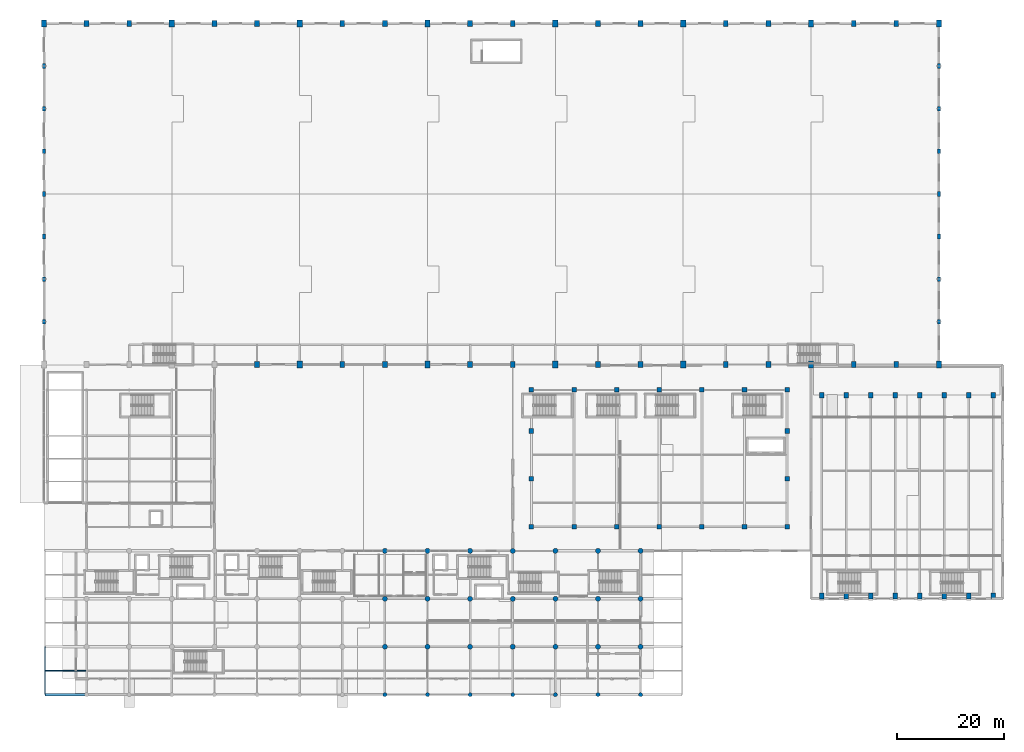
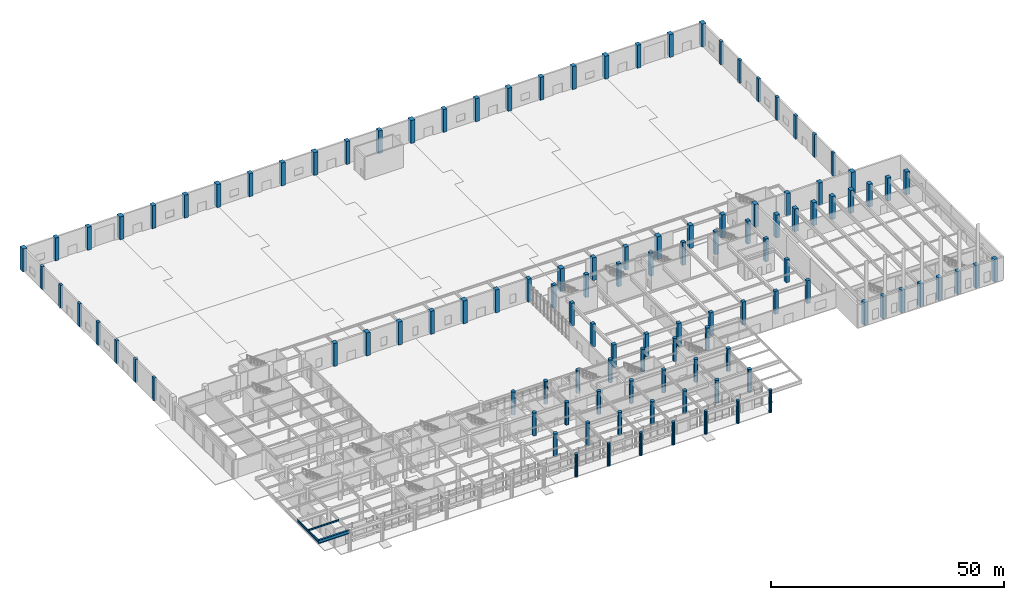
# One storey, part 4 of 49: 115 columns, 3 beams.
"""IFC4 building model written with IfcOpenShell, lengths in metres."""

from ifc_helpers import new_model, si_unit, direction, frame, origin, origin_2d, place, context, subcontext, project, spatial, rectangle, circle, i_section, extrude, material, material_profile, profile_set, type_object, element, save


model = new_model("IFC4")

# Units and contexts
model_context = context("Model", 3, precision=1e-05, world=origin(), true_north=direction((0.0, 1.0)))
body_context = subcontext(model_context, "Body", "Model", "MODEL_VIEW")
ifc_project = project(units=[si_unit("LENGTHUNIT", "METRE"), si_unit("AREAUNIT", "SQUARE_METRE"), si_unit("VOLUMEUNIT", "CUBIC_METRE"), si_unit("PLANEANGLEUNIT", "RADIAN"), si_unit("MASSUNIT", "GRAM", prefix="KILO")], contexts=[model_context])

# Site, building, storey
site_placement = place(None, origin())
site = spatial("IfcSite", under=ifc_project, at=site_placement, CompositionType="ELEMENT")
building_placement = place(site_placement, origin())
building = spatial("IfcBuilding", under=site, at=building_placement, Name="Tlacozan Convention Centre", CompositionType="ELEMENT")
storey_placement = place(building_placement, origin())
storey = spatial("IfcBuildingStorey", under=building, at=storey_placement, Name="L00", CompositionType="ELEMENT", Elevation=0.0)

# Columns
ifc_material_1 = material(Name="Concrete C40/50", Category="concrete")
ifc_material_profile_1 = material_profile(ifc_material_1, rectangle(XDim=0.89990234375, YDim=1.10009765625, at=origin_2d()), Name="RC 900x1100")
ifc_profile_set_1 = profile_set([ifc_material_profile_1], Name="Concrete C40/50")
column_type_1 = type_object("IfcColumnType", Name="Column Buttress RC 900x1100", PredefinedType="COLUMN", material=ifc_profile_set_1)
for number, where, z_axis, x_axis, name in (
    (1, (8.0, 126.0, 0.0), (0.0, 0.0, 1.0), (1.0, 0.0, 0.0), "L00 Column 84"),
    (2, (16.0, 126.0, 0.0), (0.0, 0.0, 1.0), (1.0, 0.0, 0.0), "L00 Column 133"),
    (3, (32.0, 126.0, 0.0), (0.0, 0.0, 1.0), (1.0, 0.0, 0.0), "L00 Column 231"),
    (4, (40.0, 62.0, 0.0), (0.0, 0.0, 1.0), (1.0, 0.0, 0.0), "L00 Column 258"),
    (5, (40.0, 126.0, 0.0), (0.0, 0.0, 1.0), (1.0, 0.0, 0.0), "L00 Column 268"),
    (6, (56.0, 62.0, 0.0), (0.0, 0.0, 1.0), (1.0, 0.0, 0.0), "L00 Column 332"),
    (7, (56.0, 126.0, 0.0), (0.0, 0.0, 1.0), (1.0, 0.0, 0.0), "L00 Column 342"),
    (8, (64.0, 62.0, 0.0), (0.0, 0.0, 1.0), (1.0, 0.0, 0.0), "L00 Column 369"),
    (9, (64.0, 126.0, 0.0), (0.0, 0.0, 1.0), (1.0, 0.0, 0.0), "L00 Column 379"),
    (10, (80.0, 62.0, 0.0), (0.0, 0.0, 1.0), (1.0, 0.0, 0.0), "L00 Column 443"),
    (11, (80.0, 126.0, 0.0), (0.0, 0.0, 1.0), (1.0, 0.0, 0.0), "L00 Column 453"),
    (12, (88.0, 62.0, 0.0), (0.0, 0.0, 1.0), (1.0, 0.0, 0.0), "L00 Column 480"),
    (13, (88.0, 126.0, 0.0), (0.0, 0.0, 1.0), (1.0, 0.0, 0.0), "L00 Column 490"),
    (14, (104.0, 62.0, 0.0), (0.0, 0.0, 1.0), (1.0, 0.0, 0.0), "L00 Column 572"),
    (15, (104.0, 126.0, 0.0), (0.0, 0.0, 1.0), (1.0, 0.0, 0.0), "L00 Column 582"),
    (16, (112.0, 62.0, 0.0), (0.0, 0.0, 1.0), (1.0, 0.0, 0.0), "L00 Column 615"),
    (17, (112.0, 126.0, 0.0), (0.0, 0.0, 1.0), (1.0, 0.0, 0.0), "L00 Column 625"),
    (18, (128.0, 62.0, 0.0), (0.0, 0.0, 1.0), (1.0, 0.0, 0.0), "L00 Column 661"),
    (19, (128.0, 126.0, 0.0), (0.0, 0.0, 1.0), (1.0, 0.0, 0.0), "L00 Column 671"),
    (20, (136.0, 62.0, 0.0), (0.0, 0.0, 1.0), (1.0, 0.0, 0.0), "L00 Column 684"),
    (21, (136.0, 126.0, 0.0), (0.0, 0.0, 1.0), (1.0, 0.0, 0.0), "L00 Column 694"),
    (22, (146.0, 18.5, 0.0), (0.0, 0.0, 1.0), (1.0, 0.0, 0.0), "L00 Column 722"),
    (23, (146.0, 56.199951171875, 0.0), (0.0, 0.0, 1.0), (1.0, 0.0, 0.0), "L00 Column 729"),
    (24, (150.60009765625, 18.5, 0.0), (0.0, 0.0, 1.0), (1.0, 0.0, 0.0), "L00 Column 733"),
    (25, (150.60009765625, 56.199951171875, 0.0), (0.0, 0.0, 1.0), (1.0, 0.0, 0.0), "L00 Column 740"),
    (26, (152.0, 62.0, 0.0), (0.0, 0.0, 1.0), (1.0, 0.0, 0.0), "L00 Column 744"),
    (27, (152.0, 126.0, 0.0), (0.0, 0.0, 1.0), (1.0, 0.0, 0.0), "L00 Column 754"),
    (28, (155.199951171875, 18.5, 0.0), (0.0, 0.0, 1.0), (1.0, 0.0, 0.0), "L00 Column 757"),
    (29, (155.199951171875, 56.199951171875, 0.0), (0.0, 0.0, 1.0), (1.0, 0.0, 0.0), "L00 Column 764"),
    (30, (159.800048828125, 18.5, 0.0), (0.0, 0.0, 1.0), (1.0, 0.0, 0.0), "L00 Column 768"),
    (31, (159.800048828125, 56.199951171875, 0.0), (0.0, 0.0, 1.0), (1.0, 0.0, 0.0), "L00 Column 775"),
    (32, (160.0, 62.0, 0.0), (0.0, 0.0, 1.0), (1.0, 0.0, 0.0), "L00 Column 779"),
    (33, (160.0, 126.0, 0.0), (0.0, 0.0, 1.0), (1.0, 0.0, 0.0), "L00 Column 789"),
    (34, (164.39990234375, 18.5, 0.0), (0.0, 0.0, 1.0), (1.0, 0.0, 0.0), "L00 Column 792"),
    (35, (164.39990234375, 56.199951171875, 0.0), (0.0, 0.0, 1.0), (1.0, 0.0, 0.0), "L00 Column 799"),
    (36, (169.0, 18.5, 0.0), (0.0, 0.0, 1.0), (1.0, 0.0, 0.0), "L00 Column 830"),
    (37, (169.0, 56.199951171875, 0.0), (0.0, 0.0, 1.0), (1.0, 0.0, 0.0), "L00 Column 837"),
    (38, (173.60009765625, 18.5, 0.0), (0.0, 0.0, 1.0), (1.0, 0.0, 0.0), "L00 Column 841"),
    (39, (173.60009765625, 56.199951171875, 0.0), (0.0, 0.0, 1.0), (1.0, 0.0, 0.0), "L00 Column 848"),
    (40, (178.199951171875, 18.5, 0.0), (0.0, 0.0, 1.0), (1.0, 0.0, 0.0), "L00 Column 852"),
    (41, (178.199951171875, 56.199951171875, 0.0), (0.0, 0.0, 1.0), (1.0, 0.0, 0.0), "L00 Column 859"),
):
    element("IfcColumn", number, at=place(storey_placement, frame(where, z_axis=z_axis, x_axis=x_axis)), inside=storey, type_object=column_type_1, Name=name, PredefinedType="COLUMN", context=body_context, shape_type="SweptSolid", body=[
        extrude(rectangle(XDim=0.89990234375, YDim=1.10009765625, at=origin_2d()), origin(), (0.0, 0.0, 1.0), 6.0),
    ])
ifc_material_profile_2 = material_profile(ifc_material_1, rectangle(XDim=1.0, YDim=1.300048828125, at=origin_2d()), Name="RC 1000x1300")
ifc_profile_set_2 = profile_set([ifc_material_profile_2], Name="Concrete C40/50")
column_type_2 = type_object("IfcColumnType", Name="Column Mega Buttress RC 1000x1300", PredefinedType="COLUMN", material=ifc_profile_set_2)
for number, where, z_axis, x_axis, name in (
    (42, (0.0, 126.0, 0.0), (0.0, 0.0, 1.0), (1.0, 0.0, 0.0), "L00 Column 26"),
    (43, (24.0, 126.0, 0.0), (0.0, 0.0, 1.0), (1.0, 0.0, 0.0), "L00 Column 182"),
    (44, (48.0, 62.0, 0.0), (0.0, 0.0, 1.0), (1.0, 0.0, 0.0), "L00 Column 295"),
    (45, (48.0, 126.0, 0.0), (0.0, 0.0, 1.0), (1.0, 0.0, 0.0), "L00 Column 305"),
    (46, (72.0, 62.0, 0.0), (0.0, 0.0, 1.0), (1.0, 0.0, 0.0), "L00 Column 406"),
    (47, (72.0, 126.0, 0.0), (0.0, 0.0, 1.0), (1.0, 0.0, 0.0), "L00 Column 416"),
    (48, (96.0, 62.0, 0.0), (0.0, 0.0, 1.0), (1.0, 0.0, 0.0), "L00 Column 529"),
    (49, (96.0, 126.0, 0.0), (0.0, 0.0, 1.0), (1.0, 0.0, 0.0), "L00 Column 539"),
    (50, (120.0, 62.0, 0.0), (0.0, 0.0, 1.0), (1.0, 0.0, 0.0), "L00 Column 638"),
    (51, (120.0, 126.0, 0.0), (0.0, 0.0, 1.0), (1.0, 0.0, 0.0), "L00 Column 648"),
    (52, (144.0, 62.0, 0.0), (0.0, 0.0, 1.0), (1.0, 0.0, 0.0), "L00 Column 709"),
    (53, (144.0, 126.0, 0.0), (0.0, 0.0, 1.0), (1.0, 0.0, 0.0), "L00 Column 719"),
    (54, (168.0, 62.0, 0.0), (0.0, 0.0, 1.0), (1.0, 0.0, 0.0), "L00 Column 803"),
    (55, (168.0, 126.0, 0.0), (0.0, 0.0, 1.0), (1.0, 0.0, 0.0), "L00 Column 827"),
):
    element("IfcColumn", number, at=place(storey_placement, frame(where, z_axis=z_axis, x_axis=x_axis)), inside=storey, type_object=column_type_2, Name=name, PredefinedType="COLUMN", context=body_context, shape_type="SweptSolid", body=[
        extrude(rectangle(XDim=1.0, YDim=1.300048828125, at=origin_2d()), origin(), (0.0, 0.0, 1.0), 6.0),
    ])
ifc_material_profile_3 = material_profile(ifc_material_1, circle(Radius=0.375, at=origin_2d()), Name="RCC D750")
ifc_profile_set_3 = profile_set([ifc_material_profile_3], Name="Concrete C40/50")
column_type_3 = type_object("IfcColumnType", Name="Column Round RCC D750", PredefinedType="COLUMN", material=ifc_profile_set_3)
for number, where, z_axis, x_axis, name in (
    (56, (64.0, 0.0, 0.0), (0.0, 0.0, 1.0), (1.0, 0.0, 0.0), "L00 Column 345"),
    (57, (72.0, 0.0, 0.0), (0.0, 0.0, 1.0), (1.0, 0.0, 0.0), "L00 Column 382"),
    (58, (80.0, 0.0, 0.0), (0.0, 0.0, 1.0), (1.0, 0.0, 0.0), "L00 Column 419"),
    (59, (88.0, 0.0, 0.0), (0.0, 0.0, 1.0), (1.0, 0.0, 0.0), "L00 Column 456"),
    (60, (96.0, 0.0, 0.0), (0.0, 0.0, 1.0), (1.0, 0.0, 0.0), "L00 Column 505"),
    (61, (104.0, 0.0, 0.0), (0.0, 0.0, 1.0), (1.0, 0.0, 0.0), "L00 Column 552"),
    (62, (112.0, 0.0, 0.0), (0.0, 0.0, 1.0), (1.0, 0.0, 0.0), "L00 Column 595"),
):
    element("IfcColumn", number, at=place(storey_placement, frame(where, z_axis=z_axis, x_axis=x_axis)), inside=storey, type_object=column_type_3, Name=name, PredefinedType="COLUMN", context=body_context, shape_type="SweptSolid", body=[
        extrude(circle(Radius=0.375, at=origin_2d()), origin(), (0.0, 0.0, 1.0), 6.0),
    ])
ifc_material_profile_4 = material_profile(ifc_material_1, circle(Radius=0.47509765625, at=origin_2d()), Name="RCC D950")
ifc_profile_set_4 = profile_set([ifc_material_profile_4], Name="Concrete C40/50")
column_type_4 = type_object("IfcColumnType", Name="Column Round RCC D950", PredefinedType="COLUMN", material=ifc_profile_set_4)
for number, where, z_axis, x_axis, name in (
    (63, (64.0, 9.0, 0.0), (0.0, 0.0, 1.0), (1.0, 0.0, 0.0), "L00 Column 351"),
    (64, (64.0, 18.0, 0.0), (0.0, 0.0, 1.0), (1.0, 0.0, 0.0), "L00 Column 357"),
    (65, (64.0, 27.0, 0.0), (0.0, 0.0, 1.0), (1.0, 0.0, 0.0), "L00 Column 363"),
    (66, (72.0, 9.0, 0.0), (0.0, 0.0, 1.0), (1.0, 0.0, 0.0), "L00 Column 388"),
    (67, (72.0, 18.0, 0.0), (0.0, 0.0, 1.0), (1.0, 0.0, 0.0), "L00 Column 394"),
    (68, (72.0, 27.0, 0.0), (0.0, 0.0, 1.0), (1.0, 0.0, 0.0), "L00 Column 400"),
    (69, (80.0, 9.0, 0.0), (0.0, 0.0, 1.0), (1.0, 0.0, 0.0), "L00 Column 425"),
    (70, (80.0, 18.0, 0.0), (0.0, 0.0, 1.0), (1.0, 0.0, 0.0), "L00 Column 431"),
    (71, (80.0, 27.0, 0.0), (0.0, 0.0, 1.0), (1.0, 0.0, 0.0), "L00 Column 437"),
    (72, (88.0, 9.0, 0.0), (0.0, 0.0, 1.0), (1.0, 0.0, 0.0), "L00 Column 462"),
    (73, (88.0, 18.0, 0.0), (0.0, 0.0, 1.0), (1.0, 0.0, 0.0), "L00 Column 468"),
    (74, (88.0, 27.0, 0.0), (0.0, 0.0, 1.0), (1.0, 0.0, 0.0), "L00 Column 474"),
    (75, (96.0, 9.0, 0.0), (0.0, 0.0, 1.0), (1.0, 0.0, 0.0), "L00 Column 511"),
    (76, (96.0, 18.0, 0.0), (0.0, 0.0, 1.0), (1.0, 0.0, 0.0), "L00 Column 517"),
    (77, (96.0, 27.0, 0.0), (0.0, 0.0, 1.0), (1.0, 0.0, 0.0), "L00 Column 523"),
    (78, (104.0, 9.0, 0.0), (0.0, 0.0, 1.0), (1.0, 0.0, 0.0), "L00 Column 557"),
    (79, (104.0, 18.0, 0.0), (0.0, 0.0, 1.0), (1.0, 0.0, 0.0), "L00 Column 562"),
    (80, (104.0, 27.0, 0.0), (0.0, 0.0, 1.0), (1.0, 0.0, 0.0), "L00 Column 567"),
    (81, (112.0, 9.0, 0.0), (0.0, 0.0, 1.0), (1.0, 0.0, 0.0), "L00 Column 600"),
    (82, (112.0, 18.0, 0.0), (0.0, 0.0, 1.0), (1.0, 0.0, 0.0), "L00 Column 605"),
    (83, (112.0, 27.0, 0.0), (0.0, 0.0, 1.0), (1.0, 0.0, 0.0), "L00 Column 610"),
):
    element("IfcColumn", number, at=place(storey_placement, frame(where, z_axis=z_axis, x_axis=x_axis)), inside=storey, type_object=column_type_4, Name=name, PredefinedType="COLUMN", context=body_context, shape_type="SweptSolid", body=[
        extrude(circle(Radius=0.47509765625, at=origin_2d()), origin(), (0.0, 0.0, 1.0), 6.0),
    ])
ifc_material_profile_5 = material_profile(ifc_material_1, rectangle(XDim=0.85009765625, YDim=0.85009765625, at=origin_2d()), Name="RC 850x850")
ifc_profile_set_5 = profile_set([ifc_material_profile_5], Name="Concrete C40/50")
column_type_5 = type_object("IfcColumnType", Name="Column Square RC 850x850", PredefinedType="COLUMN", material=ifc_profile_set_5)
for number, where, z_axis, x_axis, name in (
    (84, (91.5, 31.5, 0.0), (0.0, 0.0, 1.0), (1.0, 0.0, 0.0), "L00 Column 493"),
    (85, (91.5, 40.5, 0.0), (0.0, 0.0, 1.0), (1.0, 0.0, 0.0), "L00 Column 497"),
    (86, (91.5, 49.5, 0.0), (0.0, 0.0, 1.0), (1.0, 0.0, 0.0), "L00 Column 499"),
    (87, (91.5, 57.199951171875, 0.0), (0.0, 0.0, 1.0), (1.0, 0.0, 0.0), "L00 Column 501"),
    (88, (99.5, 31.5, 0.0), (0.0, 0.0, 1.0), (1.0, 0.0, 0.0), "L00 Column 542"),
    (89, (99.5, 57.199951171875, 0.0), (0.0, 0.0, 1.0), (1.0, 0.0, 0.0), "L00 Column 548"),
    (90, (107.5, 31.5, 0.0), (0.0, 0.0, 1.0), (1.0, 0.0, 0.0), "L00 Column 585"),
    (91, (107.5, 57.199951171875, 0.0), (0.0, 0.0, 1.0), (1.0, 0.0, 0.0), "L00 Column 591"),
    (92, (115.5, 31.5, 0.0), (0.0, 0.0, 1.0), (1.0, 0.0, 0.0), "L00 Column 628"),
    (93, (115.5, 57.199951171875, 0.0), (0.0, 0.0, 1.0), (1.0, 0.0, 0.0), "L00 Column 634"),
    (94, (123.5, 31.5, 0.0), (0.0, 0.0, 1.0), (1.0, 0.0, 0.0), "L00 Column 651"),
    (95, (123.5, 57.199951171875, 0.0), (0.0, 0.0, 1.0), (1.0, 0.0, 0.0), "L00 Column 657"),
    (96, (131.5, 31.5, 0.0), (0.0, 0.0, 1.0), (1.0, 0.0, 0.0), "L00 Column 674"),
    (97, (131.5, 57.199951171875, 0.0), (0.0, 0.0, 1.0), (1.0, 0.0, 0.0), "L00 Column 680"),
    (98, (139.5, 31.5, 0.0), (0.0, 0.0, 1.0), (1.0, 0.0, 0.0), "L00 Column 697"),
    (99, (139.5, 40.5, 0.0), (0.0, 0.0, 1.0), (1.0, 0.0, 0.0), "L00 Column 701"),
    (100, (139.5, 49.5, 0.0), (0.0, 0.0, 1.0), (1.0, 0.0, 0.0), "L00 Column 703"),
    (101, (139.5, 57.199951171875, 0.0), (0.0, 0.0, 1.0), (1.0, 0.0, 0.0), "L00 Column 705"),
):
    element("IfcColumn", number, at=place(storey_placement, frame(where, z_axis=z_axis, x_axis=x_axis)), inside=storey, type_object=column_type_5, Name=name, PredefinedType="COLUMN", context=body_context, shape_type="SweptSolid", body=[
        extrude(rectangle(XDim=0.85009765625, YDim=0.85009765625, at=origin_2d()), origin(), (0.0, 0.0, 1.0), 6.0),
    ])
ifc_material_profile_6 = material_profile(ifc_material_1, rectangle(XDim=0.60009765625, YDim=0.89990234375, at=origin_2d()), Name="RC 600x900")
ifc_profile_set_6 = profile_set([ifc_material_profile_6], Name="Concrete C40/50")
column_type_6 = type_object("IfcColumnType", Name="Pilaster Facade RC 600x900", PredefinedType="PILASTER", material=ifc_profile_set_6)
for number, where, z_axis, x_axis, name in (
    (102, (0.0, 70.0, 0.0), (0.0, 0.0, 1.0), (1.0, 0.0, 0.0), "L00 Column 5"),
    (103, (0.0, 78.0, 0.0), (0.0, 0.0, 1.0), (1.0, 0.0, 0.0), "L00 Column 8"),
    (104, (0.0, 86.0, 0.0), (0.0, 0.0, 1.0), (1.0, 0.0, 0.0), "L00 Column 11"),
    (105, (0.0, 94.0, 0.0), (0.0, 0.0, 1.0), (1.0, 0.0, 0.0), "L00 Column 14"),
    (106, (0.0, 102.0, 0.0), (0.0, 0.0, 1.0), (1.0, 0.0, 0.0), "L00 Column 17"),
    (107, (0.0, 110.0, 0.0), (0.0, 0.0, 1.0), (1.0, 0.0, 0.0), "L00 Column 20"),
    (108, (0.0, 118.0, 0.0), (0.0, 0.0, 1.0), (1.0, 0.0, 0.0), "L00 Column 23"),
    (109, (168.0, 70.0, 0.0), (0.0, 0.0, 1.0), (1.0, 0.0, 0.0), "L00 Column 806"),
    (110, (168.0, 78.0, 0.0), (0.0, 0.0, 1.0), (1.0, 0.0, 0.0), "L00 Column 809"),
    (111, (168.0, 86.0, 0.0), (0.0, 0.0, 1.0), (1.0, 0.0, 0.0), "L00 Column 812"),
    (112, (168.0, 94.0, 0.0), (0.0, 0.0, 1.0), (1.0, 0.0, 0.0), "L00 Column 815"),
    (113, (168.0, 102.0, 0.0), (0.0, 0.0, 1.0), (1.0, 0.0, 0.0), "L00 Column 818"),
    (114, (168.0, 110.0, 0.0), (0.0, 0.0, 1.0), (1.0, 0.0, 0.0), "L00 Column 821"),
    (115, (168.0, 118.0, 0.0), (0.0, 0.0, 1.0), (1.0, 0.0, 0.0), "L00 Column 824"),
):
    element("IfcColumn", number, at=place(storey_placement, frame(where, z_axis=z_axis, x_axis=x_axis)), inside=storey, type_object=column_type_6, Name=name, PredefinedType="PILASTER", context=body_context, shape_type="SweptSolid", body=[
        extrude(rectangle(XDim=0.60009765625, YDim=0.89990234375, at=origin_2d()), origin(), (0.0, 0.0, 1.0), 6.0),
    ])

# Beams
ifc_material_2 = material(Name="Steel ASTM A992 Grade 50", Category="steel")
ifc_material_profile_7 = material_profile(ifc_material_2, i_section(OverallWidth=0.41796875, OverallDepth=0.912109375, WebThickness=0.019287109375, FlangeThickness=0.031982421875, FilletRadius=0.02001953125, at=origin_2d()), Name="IR 914x342.0")
ifc_profile_set_7 = profile_set([ifc_material_profile_7], Name="Steel ASTM A992 Grade 50")
beam_type_1 = type_object("IfcBeamType", Name="Cantilever Girder IR 914x342", PredefinedType="BEAM", material=ifc_profile_set_7)
beam_1_placement = place(storey_placement, frame((8.0, 0.0, 5.263916015625), z_axis=(-1.0, 0.0, 0.0), x_axis=(0.0, -1.0, 0.0)))
element("IfcBeam", 116, at=beam_1_placement, inside=storey, type_object=beam_type_1, Name="L00 Cantilever Girder IR 914x342 175", PredefinedType="BEAM", context=body_context, shape_type="SweptSolid", body=[
    extrude(i_section(OverallWidth=0.41796875, OverallDepth=0.912109375, WebThickness=0.019287109375, FlangeThickness=0.031982421875, FilletRadius=0.02001953125, at=origin_2d()), origin(), (0.0, 0.0, 1.0), 7.800048828125),
])
ifc_material_profile_8 = material_profile(ifc_material_2, i_section(OverallWidth=0.22900390625, OverallDepth=0.612060546875, WebThickness=0.011962890625, FlangeThickness=0.01953125, FilletRadius=0.012939453125, at=origin_2d()), Name="IR 610x125.0")
ifc_profile_set_8 = profile_set([ifc_material_profile_8], Name="Steel ASTM A992 Grade 50")
beam_type_2 = type_object("IfcBeamType", Name="Perimeter Spandrel IR 610x125", PredefinedType="SPANDREL", material=ifc_profile_set_8)
beam_2_placement = place(storey_placement, frame((0.199951171875, 0.0, 5.4140625), z_axis=(0.0, 1.0, 0.0), x_axis=(-1.0, 0.0, 0.0)))
element("IfcBeam", 117, at=beam_2_placement, inside=storey, type_object=beam_type_2, Name="L00 Perimeter Spandrel IR 610x125 168", PredefinedType="SPANDREL", context=body_context, shape_type="SweptSolid", body=[
    extrude(i_section(OverallWidth=0.22900390625, OverallDepth=0.612060546875, WebThickness=0.011962890625, FlangeThickness=0.01953125, FilletRadius=0.012939453125, at=origin_2d()), origin(), (0.0, 0.0, 1.0), 9.0),
])
ifc_material_profile_9 = material_profile(ifc_material_2, i_section(OverallWidth=0.179931640625, OverallDepth=0.4130859375, WebThickness=0.009765625, FlangeThickness=0.01611328125, FilletRadius=0.010986328125, at=origin_2d()), Name="IR 406x74.4")
ifc_profile_set_9 = profile_set([ifc_material_profile_9], Name="Steel ASTM A992 Grade 50")
beam_type_3 = type_object("IfcBeamType", Name="Secondary Joist IR 406x74.4", PredefinedType="JOIST", material=ifc_profile_set_9)
beam_3_placement = place(storey_placement, frame((0.325927734375, 4.5, 5.513427734375), z_axis=(1.0, 0.0, 0.0), x_axis=(0.0, 1.0, 0.0)))
element("IfcBeam", 118, at=beam_3_placement, inside=storey, type_object=beam_type_3, Name="L00 Secondary Joist IR 406x74.4 226", PredefinedType="JOIST", context=body_context, shape_type="SweptSolid", body=[
    extrude(i_section(OverallWidth=0.179931640625, OverallDepth=0.4130859375, WebThickness=0.009765625, FlangeThickness=0.01611328125, FilletRadius=0.010986328125, at=origin_2d()), origin(), (0.0, 0.0, 1.0), 7.548095703125),
])

save(model, "model.ifc")
